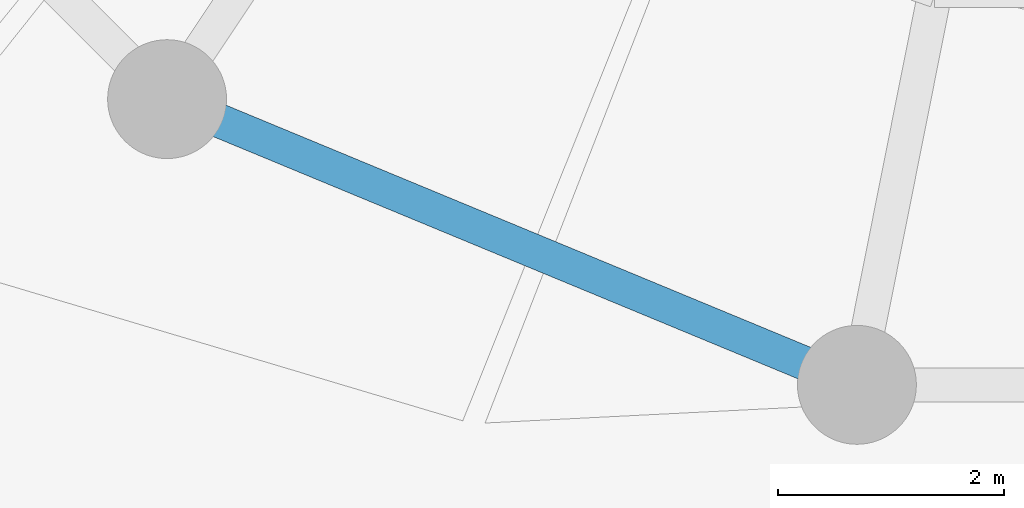
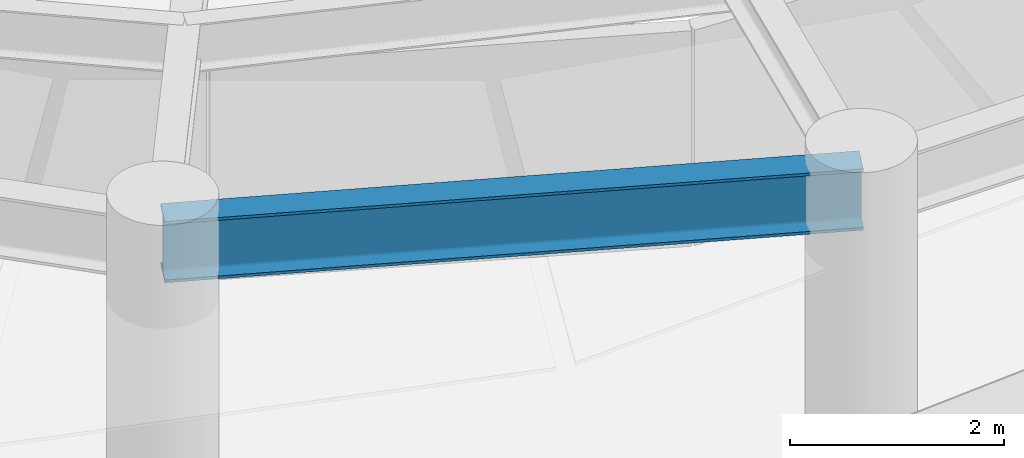
# One storey, part 3 of 12: 1 beam.
"""IFC4 building model written with IfcOpenShell, lengths in metres."""

from ifc_helpers import new_model, si_unit, direction, frame, origin, origin_2d, place, context, subcontext, project, spatial, i_section, extrude, material, material_profile, profile_set, type_object, element, save


model = new_model("IFC4")

# Units and contexts
model_context = context("Model", 3, precision=1e-05, world=origin(), true_north=direction((0.0, 1.0)))
body_context = subcontext(model_context, "Body", "Model", "MODEL_VIEW")
ifc_project = project(units=[si_unit("LENGTHUNIT", "METRE"), si_unit("AREAUNIT", "SQUARE_METRE"), si_unit("VOLUMEUNIT", "CUBIC_METRE"), si_unit("PLANEANGLEUNIT", "RADIAN"), si_unit("MASSUNIT", "GRAM", prefix="KILO"), si_unit("THERMODYNAMICTEMPERATUREUNIT", "KELVIN"), si_unit("POWERUNIT", "WATT")], contexts=[model_context])

# Site, building, storey
site_placement = place(None, origin())
site = spatial("IfcSite", under=ifc_project, at=site_placement, CompositionType="ELEMENT")
building_placement = place(site_placement, origin())
building = spatial("IfcBuilding", under=site, at=building_placement, Name="Ocrelia Relay Tower", CompositionType="ELEMENT")
storey_placement = place(building_placement, frame((0.0, 0.0, 188.0)))
storey = spatial("IfcBuildingStorey", under=building, at=storey_placement, Name="L45", CompositionType="ELEMENT", Elevation=188.0)

# Beam
ifc_material = material(Name="Steel S355", Category="steel")
ifc_material_profile = material_profile(ifc_material, i_section(OverallWidth=0.300048828125, OverallDepth=0.699951171875, WebThickness=0.01708984375, FlangeThickness=0.031982421875, FilletRadius=0.027099609375, at=origin_2d()), Name="HEB 700")
ifc_profile_set = profile_set([ifc_material_profile], Name="Steel S355")
beam_type = type_object("IfcBeamType", Name="BM-HEB700", PredefinedType="BEAM", material=ifc_profile_set)
beam_placement = place(storey_placement, frame((24.61083984375, 11.9482421875, 3.030029296875), z_axis=(0.923877844151, -0.382687508402, 0.0), x_axis=(0.382687508402, 0.923877844151, 0.0)))
element("IfcBeam", 1, at=beam_placement, inside=storey, type_object=beam_type, Name="L45 Perimeter Spandrel Beam S11", PredefinedType="BEAM", context=body_context, shape_type="SweptSolid", body=[
    extrude(i_section(OverallWidth=0.300048828125, OverallDepth=0.699951171875, WebThickness=0.01708984375, FlangeThickness=0.031982421875, FilletRadius=0.027099609375, at=origin_2d()), origin(), (0.0, 0.0, 1.0), 6.593994140625),
])

save(model, "model.ifc")
